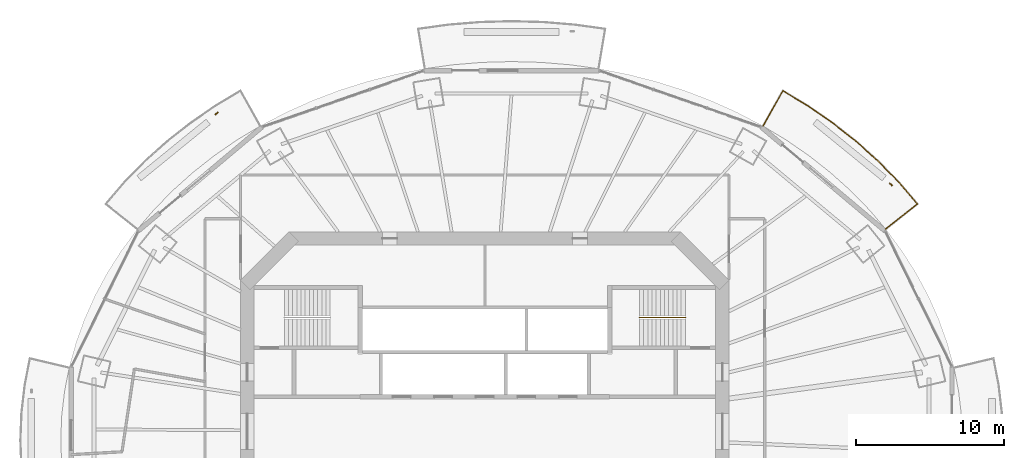
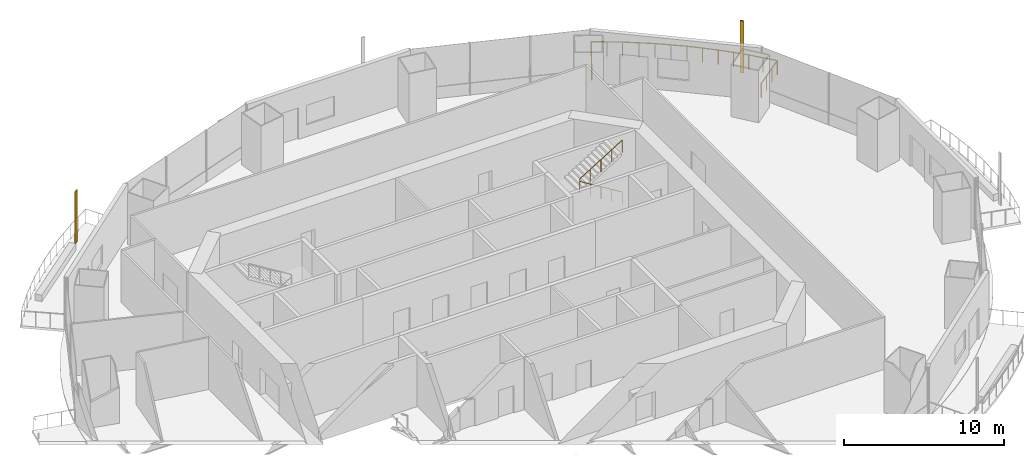
# One storey, part 17 of 19: 2 railings, 2 shading devices.
"""IFC4 building model written with IfcOpenShell, lengths in metres."""

from ifc_helpers import new_model, si_unit, direction, frame, origin, origin_2d, place, context, subcontext, project, spatial, rectangle, circle, extrude, material, material_profile, profile_set, type_object, element, save


model = new_model("IFC4")

# Units and contexts
model_context = context("Model", 3, precision=1e-05, world=origin(), true_north=direction((0.0, 1.0)))
body_context = subcontext(model_context, "Body", "Model", "MODEL_VIEW")
ifc_project = project(units=[si_unit("LENGTHUNIT", "METRE"), si_unit("AREAUNIT", "SQUARE_METRE"), si_unit("VOLUMEUNIT", "CUBIC_METRE"), si_unit("PLANEANGLEUNIT", "RADIAN"), si_unit("MASSUNIT", "GRAM", prefix="KILO")], contexts=[model_context])

# Site, building, storey
site_placement = place(None, origin())
site = spatial("IfcSite", under=ifc_project, at=site_placement, CompositionType="ELEMENT")
building_placement = place(site_placement, origin())
building = spatial("IfcBuilding", under=site, at=building_placement, Name="Marenthal Gate Tower", CompositionType="ELEMENT")
storey_placement = place(building_placement, frame((0.0, 0.0, 239.89990234375)))
storey = spatial("IfcBuildingStorey", under=building, at=storey_placement, Name="L53", CompositionType="ELEMENT", Elevation=239.89990234375)

# Railings
ifc_material_1 = material(Name="Stainless steel", Category="steel")
railing_type_1 = type_object("IfcRailingType", Name="Balcony guard 1100", PredefinedType="GUARDRAIL", material=ifc_material_1)
railing_1_placement = place(storey_placement, frame((18.73974609375, 20.5791015625, 0.0)))
element("IfcRailing", 1, at=railing_1_placement, inside=storey, type_object=railing_type_1, Name="Balcony guard L53 bay 2", PredefinedType="GUARDRAIL", context=body_context, shape_type="SweptSolid", body=[
    extrude(circle(Radius=0.02392578125, at=origin_2d()), frame((0.0, 0.0, 1.076171875), z_axis=(0.489867836267, 0.871673951232, -0.014629618415), x_axis=(-0.871767246537, 0.489920266845, 0.0)), (0.0, 0.0, 1.0), 2.72021484375),
    extrude(circle(Radius=0.02392578125, at=origin_2d()), frame((1.33251953125, 2.37109375, 1.0361328125), z_axis=(0.85600344742, -0.516970113262, 0.0), x_axis=(0.516970113262, 0.85600344742, 0.0)), (0.0, 0.0, 1.0), 1.9716796875),
    extrude(circle(Radius=0.02392578125, at=origin_2d()), frame((3.020263671875, 1.351806640625, 1.0361328125), z_axis=(0.823201188943, -0.567749771046, 0.0), x_axis=(0.567749771046, 0.823201188943, 0.0)), (0.0, 0.0, 1.0), 2.03564453125),
    extrude(circle(Radius=0.02392578125, at=origin_2d()), frame((4.696044921875, 0.196044921875, 1.0361328125), z_axis=(0.785705367394, -0.618600901752, 0.0), x_axis=(0.618600901752, 0.785705367394, 0.0)), (0.0, 0.0, 1.0), 2.01904296875),
    extrude(circle(Radius=0.02392578125, at=origin_2d()), frame((6.282470703125, -1.052978515625, 1.0361328125), z_axis=(0.744239175583, -0.667913205086, 0.0), x_axis=(0.667913205086, 0.744239175583, 0.0)), (0.0, 0.0, 1.0), 2.00244140625),
    extrude(circle(Radius=0.02392578125, at=origin_2d()), frame((7.772705078125, -2.390380859375, 1.0361328125), z_axis=(0.698634154887, -0.715479082591, 0.0), x_axis=(0.715479082591, 0.698634154887, 0.0)), (0.0, 0.0, 1.0), 1.985595703125),
    extrude(circle(Radius=0.02392578125, at=origin_2d()), frame((9.159912109375, -3.81103515625, 1.0361328125), z_axis=(0.649918406787, -0.760003989805, 0.0), x_axis=(0.760003989805, 0.649918406787, 0.0)), (0.0, 0.0, 1.0), 1.889404296875),
    extrude(circle(Radius=0.02392578125, at=origin_2d()), frame((10.387939453125, -5.2470703125, 1.0361328125), z_axis=(-0.782934491262, -0.621932144022, 0.014628418395), x_axis=(0.621998698528, -0.783018275029, 0.0)), (0.0, 0.0, 1.0), 2.720458984375),
    extrude(circle(Radius=0.02099609375, at=origin_2d()), origin(), (0.0, 0.0, 1.0), 1.052001953125),
    extrude(circle(Radius=0.02099609375, at=origin_2d()), frame((0.444091796875, 0.790283203125, -0.01318359375)), (0.0, 0.0, 1.0), 1.052001953125),
    extrude(circle(Radius=0.02099609375, at=origin_2d()), frame((0.888427734375, 1.580810546875, -0.026611328125)), (0.0, 0.0, 1.0), 1.052001953125),
    extrude(circle(Radius=0.02099609375, at=origin_2d()), frame((1.33251953125, 2.37109375, -0.039794921875)), (0.0, 0.0, 1.0), 1.052001953125),
    extrude(circle(Radius=0.02099609375, at=origin_2d()), frame((2.17626953125, 1.861328125, -0.039794921875)), (0.0, 0.0, 1.0), 1.052001953125),
    extrude(circle(Radius=0.02099609375, at=origin_2d()), frame((3.020263671875, 1.351806640625, -0.039794921875)), (0.0, 0.0, 1.0), 1.052001953125),
    extrude(circle(Radius=0.02099609375, at=origin_2d()), frame((3.858154296875, 0.77392578125, -0.039794921875)), (0.0, 0.0, 1.0), 1.052001953125),
    extrude(circle(Radius=0.02099609375, at=origin_2d()), frame((4.696044921875, 0.196044921875, -0.039794921875)), (0.0, 0.0, 1.0), 1.052001953125),
    extrude(circle(Radius=0.02099609375, at=origin_2d()), frame((5.4892578125, -0.428466796875, -0.039794921875)), (0.0, 0.0, 1.0), 1.052001953125),
    extrude(circle(Radius=0.02099609375, at=origin_2d()), frame((6.282470703125, -1.052978515625, -0.039794921875)), (0.0, 0.0, 1.0), 1.052001953125),
    extrude(circle(Radius=0.02099609375, at=origin_2d()), frame((7.027587890625, -1.7216796875, -0.039794921875)), (0.0, 0.0, 1.0), 1.052001953125),
    extrude(circle(Radius=0.02099609375, at=origin_2d()), frame((7.772705078125, -2.390380859375, -0.039794921875)), (0.0, 0.0, 1.0), 1.052001953125),
    extrude(circle(Radius=0.02099609375, at=origin_2d()), frame((8.46630859375, -3.1005859375, -0.039794921875)), (0.0, 0.0, 1.0), 1.052001953125),
    extrude(circle(Radius=0.02099609375, at=origin_2d()), frame((9.159912109375, -3.81103515625, -0.039794921875)), (0.0, 0.0, 1.0), 1.052001953125),
    extrude(circle(Radius=0.02099609375, at=origin_2d()), frame((9.77392578125, -4.529052734375, -0.039794921875)), (0.0, 0.0, 1.0), 1.052001953125),
    extrude(circle(Radius=0.02099609375, at=origin_2d()), frame((10.387939453125, -5.2470703125, -0.039794921875)), (0.0, 0.0, 1.0), 1.052001953125),
    extrude(circle(Radius=0.02099609375, at=origin_2d()), frame((9.677978515625, -5.81103515625, -0.026611328125)), (0.0, 0.0, 1.0), 1.052001953125),
    extrude(circle(Radius=0.02099609375, at=origin_2d()), frame((8.968017578125, -6.375, -0.01318359375)), (0.0, 0.0, 1.0), 1.052001953125),
    extrude(circle(Radius=0.02099609375, at=origin_2d()), frame((8.258056640625, -6.93896484375, 0.0)), (0.0, 0.0, 1.0), 1.052001953125),
])
ifc_material_2 = material(Name="Stainless steel", Category="steel")
railing_type_2 = type_object("IfcRailingType", Name="Stair handrail", PredefinedType="HANDRAIL", material=ifc_material_2)
railing_2_placement = place(storey_placement, frame((13.5, 7.675048828125, 0.173095703125)))
element("IfcRailing", 2, at=railing_2_placement, inside=storey, type_object=railing_type_2, Name="Handrail ST3", PredefinedType="HANDRAIL", context=body_context, shape_type="SweptSolid", body=[
    extrude(circle(Radius=0.0224609375, at=origin_2d()), frame((0.0, 0.0, 0.927490234375), z_axis=(-0.850835241893, 0.0, 0.525432575268), x_axis=(0.0, -1.0, 0.0)), (0.0, 0.0, 1.0), 3.6201171875),
    extrude(circle(Radius=0.0224609375, at=origin_2d()), frame((-3.080078125, 0.0, 2.82958984375), z_axis=(0.0, 0.0, 1.0), x_axis=(1.0, 0.0, 0.0)), (0.0, 0.0, 1.0), 0.1728515625),
    extrude(circle(Radius=0.0224609375, at=origin_2d()), frame((-3.080078125, 0.0, 3.00244140625), z_axis=(0.850835241893, 0.0, 0.525432575268), x_axis=(0.0, 1.0, 0.0)), (0.0, 0.0, 1.0), 3.6201171875),
    extrude(circle(Radius=0.02001953125, at=origin_2d()), origin(), (0.0, 0.0, 1.0), 0.905029296875),
    extrude(circle(Radius=0.02001953125, at=origin_2d()), frame((-0.77001953125, 0.0, 0.4755859375)), (0.0, 0.0, 1.0), 0.905029296875),
    extrude(circle(Radius=0.02001953125, at=origin_2d()), frame((-1.5400390625, 0.0, 0.951171875)), (0.0, 0.0, 1.0), 0.905029296875),
    extrude(circle(Radius=0.02001953125, at=origin_2d()), frame((-2.31005859375, 0.0, 1.426513671875)), (0.0, 0.0, 1.0), 0.905029296875),
    extrude(circle(Radius=0.02001953125, at=origin_2d()), frame((-3.080078125, 0.0, 1.902099609375)), (0.0, 0.0, 1.0), 0.905029296875),
    extrude(circle(Radius=0.02001953125, at=origin_2d()), frame((-3.080078125, 0.0, 2.074951171875)), (0.0, 0.0, 1.0), 0.905029296875),
    extrude(circle(Radius=0.02001953125, at=origin_2d()), frame((-2.31005859375, 0.0, 2.550537109375)), (0.0, 0.0, 1.0), 0.905029296875),
    extrude(circle(Radius=0.02001953125, at=origin_2d()), frame((-1.5400390625, 0.0, 3.02587890625)), (0.0, 0.0, 1.0), 0.905029296875),
    extrude(circle(Radius=0.02001953125, at=origin_2d()), frame((-0.77001953125, 0.0, 3.50146484375)), (0.0, 0.0, 1.0), 0.905029296875),
    extrude(circle(Radius=0.02001953125, at=origin_2d()), frame((0.0, 0.0, 3.97705078125)), (0.0, 0.0, 1.0), 0.905029296875),
])

# Shading devices
ifc_material_3 = material(Name="Terracotta", Category="masonry")
ifc_material_profile = material_profile(ifc_material_3, rectangle(XDim=0.25, YDim=0.080078125, at=origin_2d()), Name="Terracotta baguette 250x80")
ifc_profile_set = profile_set([ifc_material_profile], Name="Terracotta")
shading_device_type = type_object("IfcShadingDeviceType", Name="Terracotta BAGUETTE SCREEN 250x80", PredefinedType="USERDEFINED", material=ifc_profile_set)
for number, where, z_axis, x_axis, name in (
    (3, (27.349853515625, 16.6435546875, -0.039794921875), (0.0, 0.0, 1.0), (-0.765469470301, 0.643472213881, 0.0), "Terracotta BAGUETTE L53 bay 2L"),
    (4, (-18.069091796875, 21.419189453125, -0.039794921875), (0.0, 0.0, 1.0), (-0.765469470301, -0.643472213881, 0.0), "Terracotta BAGUETTE L53 bay 6L"),
):
    element("IfcShadingDevice", number, at=place(storey_placement, frame(where, z_axis=z_axis, x_axis=x_axis)), inside=storey, type_object=shading_device_type, Name=name, ObjectType="BAGUETTE SCREEN", PredefinedType="USERDEFINED", context=body_context, shape_type="SweptSolid", body=[
        extrude(rectangle(XDim=0.25, YDim=0.080078125, at=origin_2d()), origin(), (0.0, 0.0, 1.0), 3.969970703125),
    ])

save(model, "model.ifc")
